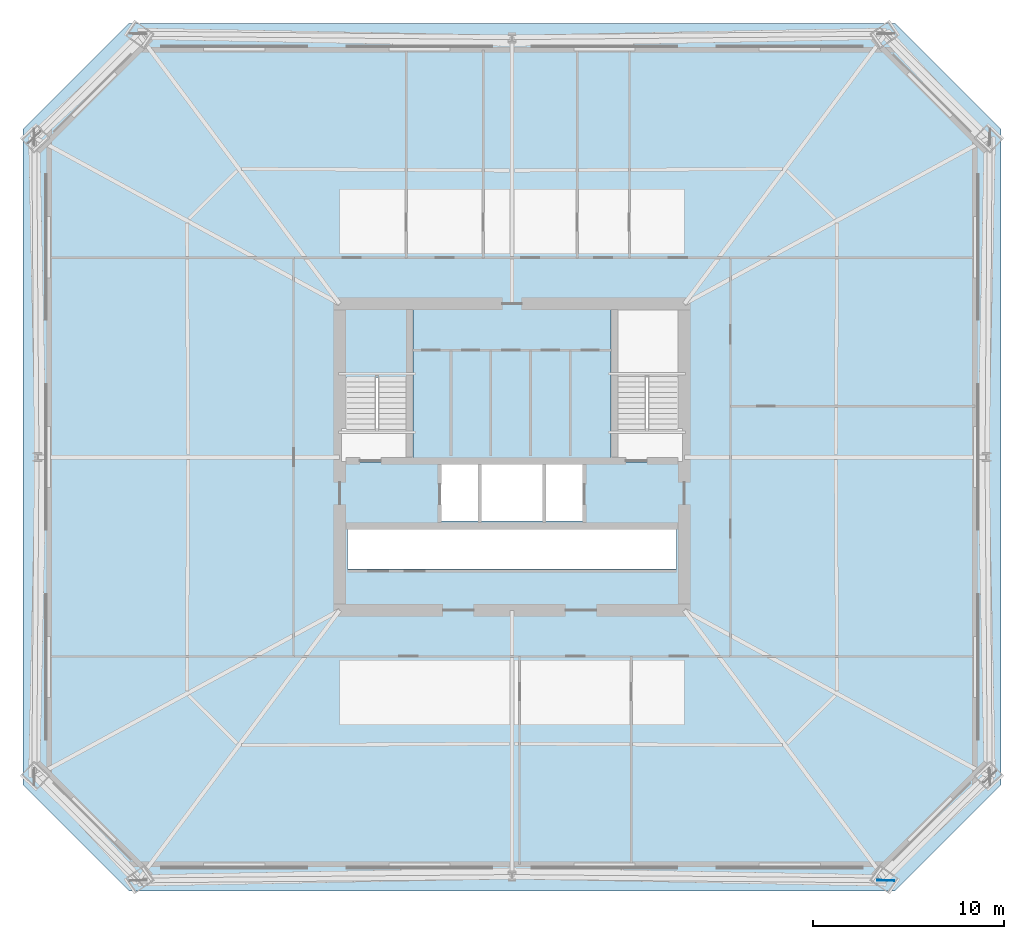
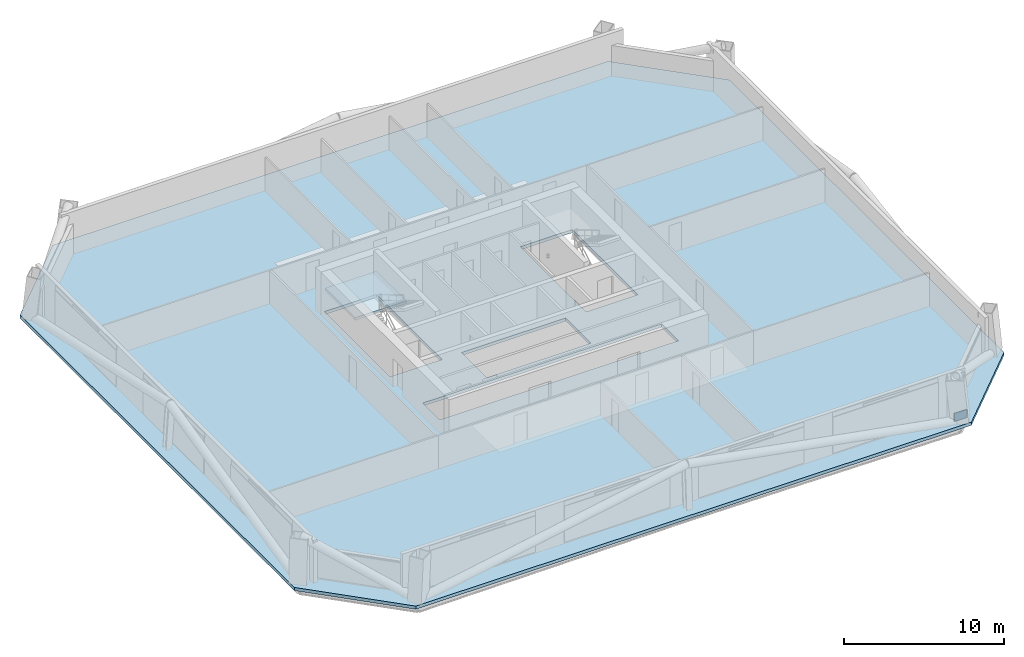
# One storey, part 3 of 9: 2 slabs, 1 plate, 1 element without a shape of its own.
"""IFC4 building model written with IfcOpenShell, lengths in metres."""

from ifc_helpers import new_model, si_unit, direction, frame, origin, origin_2d, place, context, subcontext, project, spatial, polyline, rectangle, outline, extrude, material, layer, layer_set, type_object, element, aggregate, save


model = new_model("IFC4")

# Units and contexts
model_context = context("Model", 3, precision=1e-05, world=origin(), true_north=direction((0.0, 1.0)))
body_context = subcontext(model_context, "Body", "Model", "MODEL_VIEW")
ifc_project = project(units=[si_unit("LENGTHUNIT", "METRE"), si_unit("AREAUNIT", "SQUARE_METRE"), si_unit("VOLUMEUNIT", "CUBIC_METRE"), si_unit("PLANEANGLEUNIT", "RADIAN"), si_unit("MASSUNIT", "GRAM", prefix="KILO")], contexts=[model_context])

# Site, building, storey
site_placement = place(None, origin())
site = spatial("IfcSite", under=ifc_project, at=site_placement, CompositionType="ELEMENT")
building_placement = place(site_placement, origin())
building = spatial("IfcBuilding", under=site, at=building_placement, Name="Caelvoria Tower", CompositionType="ELEMENT")
storey_placement = place(building_placement, frame((0.0, 0.0, 82.0)))
storey = spatial("IfcBuildingStorey", under=building, at=storey_placement, Name="L21", CompositionType="ELEMENT", Elevation=82.0)

# Plate
ifc_material_1 = material(Name="Structural Steel ASTM A572 Gr.50", Category="steel")
ifc_layer_1 = layer(ifc_material_1, 0.0400390625, Name="Structural Steel ASTM A572 Gr.50")
ifc_layer_set_1 = layer_set([ifc_layer_1], Name="Megaframe Node Gusset Plate 900x600x40 - Structural Steel ASTM A572 Gr.50")
plate_type = type_object("IfcPlateType", Name="Megaframe Node Gusset Plate 900x600x40", PredefinedType="USERDEFINED", material=ifc_layer_set_1)
plate_placement = place(storey_placement, frame((65.5234375, 9.8896484375, 0.050048828125), z_axis=(0.0, 0.0, 1.0), x_axis=(-0.99982663572, 0.01861984171, 0.0)))
element("IfcPlate", 1, at=plate_placement, inside=storey, type_object=plate_type, Name="Megaframe Node Gusset Plate ND-04", ObjectType="GUSSET_PLATE", PredefinedType="USERDEFINED", context=body_context, shape_type="SweptSolid", body=[
    extrude(rectangle(XDim=0.89990234375, YDim=0.0400390625, at=origin_2d()), origin(), (0.0, 0.0, 1.0), 0.60009765625),
])

# Stair, slab
ifc_material_2 = material(Name="Concrete C40/50", Category="concrete")
stair_type = type_object("IfcStairType", Name="Core Smokeproof Dogleg Stair Concrete C40/50", PredefinedType="HALF_TURN_STAIR", material=ifc_material_2)
stair_placement = place(storey_placement, origin())
stair = element("IfcStair", 2, at=stair_placement, inside=storey, type_object=stair_type, Name="ST-01 Smokeproof Exit Stair L21", PredefinedType="HALF_TURN_STAIR")
ifc_layer_2 = layer(ifc_material_2, 0.199951171875, Name="Concrete C40/50")
ifc_layer_set_2 = layer_set([ifc_layer_2], Name="Stair Half and Floor Landing Slab 200 Concrete C40/50 - Concrete C40/50")
slab_type_1 = type_object("IfcSlabType", Name="Stair Half and Floor Landing Slab 200 Concrete C40/50", PredefinedType="LANDING", material=ifc_layer_set_2)
slab_1_placement = place(storey_placement, frame((0.0, 0.0, 1.60009765625)))
slab_1 = element("IfcSlab", 3, at=slab_1_placement, type_object=slab_type_1, Name="ST-01 landing 2", PredefinedType="LANDING", context=body_context, shape_type="SweptSolid", body=[
    extrude(outline(polyline([(37.10009765625, 36.14990234375), (40.800048828125, 36.14990234375), (40.800048828125, 39.89990234375), (37.10009765625, 39.89990234375), (37.10009765625, 36.14990234375)])), origin(), (0.0, 0.0, 1.0), 0.199951171875),
])
aggregate(stair, [slab_1])

# Slab
ifc_layer_3 = layer(ifc_material_2, 0.239990234375, Name="Concrete C40/50")
ifc_layer_set_3 = layer_set([ifc_layer_3], Name="Tower Composite Office Slab 240 - Concrete C40/50")
slab_type_2 = type_object("IfcSlabType", Name="Tower Composite Office Slab 240", PredefinedType="FLOOR", material=ifc_layer_set_3)
slab_2_placement = place(storey_placement, frame((0.0, 0.0, -0.239990234375)))
element("IfcSlab", 4, at=slab_2_placement, inside=storey, type_object=slab_type_2, Name="Level L21 Structural Floor Slab", PredefinedType="FLOOR", context=body_context, shape_type="SweptSolid", body=[
    extrude(outline(polyline([(26.0, 9.35009765625), (66.0, 9.35009765625), (71.550048828125, 14.89990234375), (71.550048828125, 49.10009765625), (66.0, 54.64990234375), (26.0, 54.64990234375), (20.449951171875, 49.10009765625), (20.449951171875, 14.89990234375), (26.0, 9.35009765625)]), holes=[polyline([(37.080078125, 31.75), (40.820068359375, 31.75), (40.820068359375, 39.919921875), (37.080078125, 39.919921875), (37.080078125, 31.75)]), polyline([(51.179931640625, 31.75), (54.919921875, 31.75), (54.919921875, 39.919921875), (51.179931640625, 39.919921875), (51.179931640625, 31.75)]), polyline([(42.25, 28.64990234375), (49.75, 28.64990234375), (49.75, 31.800048828125), (42.25, 31.800048828125), (42.25, 28.64990234375)]), polyline([(37.39990234375, 26.14990234375), (54.60009765625, 26.14990234375), (54.60009765625, 28.25), (37.39990234375, 28.25), (37.39990234375, 26.14990234375)])]), origin(), (0.0, 0.0, 1.0), 0.239990234375),
])

save(model, "model.ifc")
